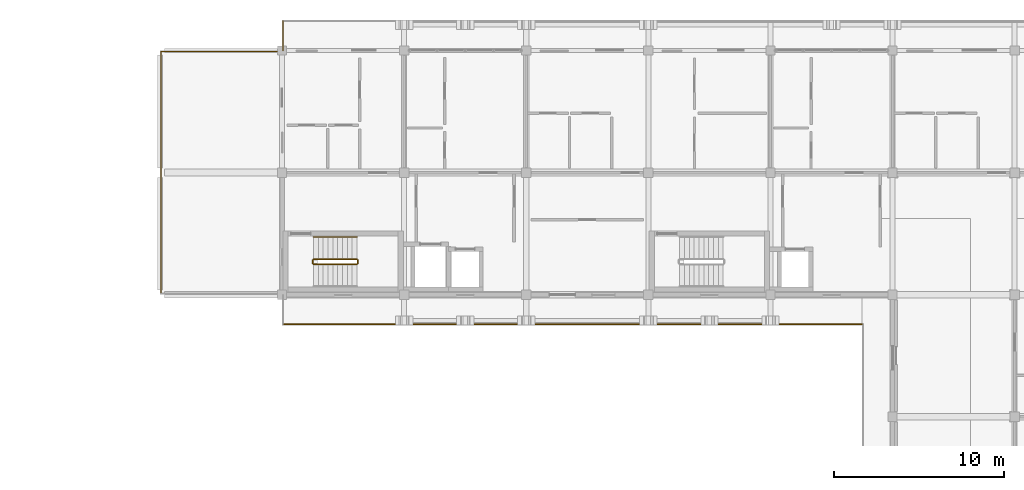
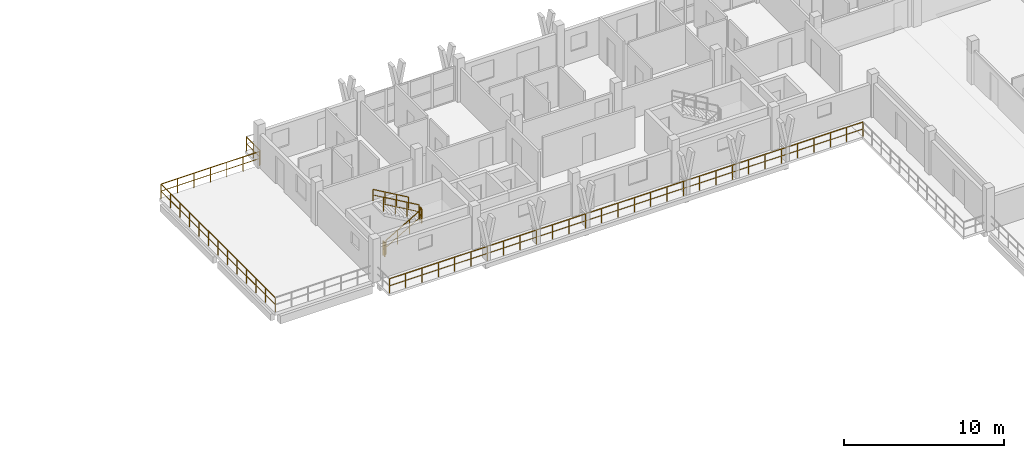
# One storey, part 58 of 60: 9 railings.
"""IFC4 building model written with IfcOpenShell, lengths in metres."""

from ifc_helpers import new_model, si_unit, direction, frame, origin, origin_2d, place, context, subcontext, project, spatial, rectangle, extrude, material, type_object, element, save


model = new_model("IFC4")

# Units and contexts
model_context = context("Model", 3, precision=1e-05, world=origin(), true_north=direction((0.0, 1.0)))
body_context = subcontext(model_context, "Body", "Model", "MODEL_VIEW")
ifc_project = project(units=[si_unit("LENGTHUNIT", "METRE"), si_unit("AREAUNIT", "SQUARE_METRE"), si_unit("VOLUMEUNIT", "CUBIC_METRE"), si_unit("PLANEANGLEUNIT", "RADIAN"), si_unit("MASSUNIT", "GRAM", prefix="KILO")], contexts=[model_context])

# Site, building, storey
site_placement = place(None, origin())
site = spatial("IfcSite", under=ifc_project, at=site_placement, CompositionType="ELEMENT")
building_placement = place(site_placement, origin())
building = spatial("IfcBuilding", under=site, at=building_placement, Name="Suanplinth Sawtooth Commons", CompositionType="ELEMENT")
storey_placement = place(building_placement, frame((0.0, 0.0, 31.5)))
storey = spatial("IfcBuildingStorey", under=building, at=storey_placement, Name="L09", CompositionType="ELEMENT", Elevation=31.5)

# Railings
ifc_material_1 = material(Name="Powder-coated galvanized steel", Category="steel")
railing_type_1 = type_object("IfcRailingType", Name="GR-01", PredefinedType="BALUSTRADE", material=ifc_material_1)
railing_1_placement = place(storey_placement, frame((171.06005859375, 106.260009765625, 0.0)))
element("IfcRailing", 1, at=railing_1_placement, inside=storey, type_object=railing_type_1, Name="L09 Block B Perimeter Balustrade 3", PredefinedType="BALUSTRADE", context=body_context, shape_type="SweptSolid", body=[
    extrude(rectangle(XDim=0.048095703125, YDim=0.048095703125, at=origin_2d()), frame((0.0, 0.0, 1.09619140625), z_axis=(-1.0, 0.0, 0.0), x_axis=(0.0, -1.0, 0.0)), (0.0, 0.0, 1.0), 34.199951171875),
    extrude(rectangle(XDim=0.03369140625, YDim=0.03369140625, at=origin_2d()), frame((0.0, 0.0, 0.56005859375), z_axis=(-1.0, 0.0, 0.0), x_axis=(0.0, -1.0, 0.0)), (0.0, 0.0, 1.0), 34.199951171875),
    extrude(rectangle(XDim=0.0419921875, YDim=0.0419921875, at=origin_2d()), origin(), (0.0, 0.0, 1.0), 1.072021484375),
    extrude(rectangle(XDim=0.0419921875, YDim=0.0419921875, at=origin_2d()), frame((-1.17919921875, 0.0, 0.0)), (0.0, 0.0, 1.0), 1.072021484375),
    extrude(rectangle(XDim=0.0419921875, YDim=0.0419921875, at=origin_2d()), frame((-2.358642578125, 0.0, 0.0)), (0.0, 0.0, 1.0), 1.072021484375),
    extrude(rectangle(XDim=0.0419921875, YDim=0.0419921875, at=origin_2d()), frame((-3.537841796875, 0.0, 0.0)), (0.0, 0.0, 1.0), 1.072021484375),
    extrude(rectangle(XDim=0.0419921875, YDim=0.0419921875, at=origin_2d()), frame((-4.71728515625, 0.0, 0.0)), (0.0, 0.0, 1.0), 1.072021484375),
    extrude(rectangle(XDim=0.0419921875, YDim=0.0419921875, at=origin_2d()), frame((-5.896484375, 0.0, 0.0)), (0.0, 0.0, 1.0), 1.072021484375),
    extrude(rectangle(XDim=0.0419921875, YDim=0.0419921875, at=origin_2d()), frame((-7.075927734375, 0.0, 0.0)), (0.0, 0.0, 1.0), 1.072021484375),
    extrude(rectangle(XDim=0.0419921875, YDim=0.0419921875, at=origin_2d()), frame((-8.255126953125, 0.0, 0.0)), (0.0, 0.0, 1.0), 1.072021484375),
    extrude(rectangle(XDim=0.0419921875, YDim=0.0419921875, at=origin_2d()), frame((-9.4345703125, 0.0, 0.0)), (0.0, 0.0, 1.0), 1.072021484375),
    extrude(rectangle(XDim=0.0419921875, YDim=0.0419921875, at=origin_2d()), frame((-10.61376953125, 0.0, 0.0)), (0.0, 0.0, 1.0), 1.072021484375),
    extrude(rectangle(XDim=0.0419921875, YDim=0.0419921875, at=origin_2d()), frame((-11.79296875, 0.0, 0.0)), (0.0, 0.0, 1.0), 1.072021484375),
    extrude(rectangle(XDim=0.0419921875, YDim=0.0419921875, at=origin_2d()), frame((-12.972412109375, 0.0, 0.0)), (0.0, 0.0, 1.0), 1.072021484375),
    extrude(rectangle(XDim=0.0419921875, YDim=0.0419921875, at=origin_2d()), frame((-14.151611328125, 0.0, 0.0)), (0.0, 0.0, 1.0), 1.072021484375),
    extrude(rectangle(XDim=0.0419921875, YDim=0.0419921875, at=origin_2d()), frame((-15.3310546875, 0.0, 0.0)), (0.0, 0.0, 1.0), 1.072021484375),
    extrude(rectangle(XDim=0.0419921875, YDim=0.0419921875, at=origin_2d()), frame((-16.51025390625, 0.0, 0.0)), (0.0, 0.0, 1.0), 1.072021484375),
    extrude(rectangle(XDim=0.0419921875, YDim=0.0419921875, at=origin_2d()), frame((-17.689697265625, 0.0, 0.0)), (0.0, 0.0, 1.0), 1.072021484375),
    extrude(rectangle(XDim=0.0419921875, YDim=0.0419921875, at=origin_2d()), frame((-18.868896484375, 0.0, 0.0)), (0.0, 0.0, 1.0), 1.072021484375),
    extrude(rectangle(XDim=0.0419921875, YDim=0.0419921875, at=origin_2d()), frame((-20.04833984375, 0.0, 0.0)), (0.0, 0.0, 1.0), 1.072021484375),
    extrude(rectangle(XDim=0.0419921875, YDim=0.0419921875, at=origin_2d()), frame((-21.2275390625, 0.0, 0.0)), (0.0, 0.0, 1.0), 1.072021484375),
    extrude(rectangle(XDim=0.0419921875, YDim=0.0419921875, at=origin_2d()), frame((-22.406982421875, 0.0, 0.0)), (0.0, 0.0, 1.0), 1.072021484375),
    extrude(rectangle(XDim=0.0419921875, YDim=0.0419921875, at=origin_2d()), frame((-23.586181640625, 0.0, 0.0)), (0.0, 0.0, 1.0), 1.072021484375),
    extrude(rectangle(XDim=0.0419921875, YDim=0.0419921875, at=origin_2d()), frame((-24.765380859375, 0.0, 0.0)), (0.0, 0.0, 1.0), 1.072021484375),
    extrude(rectangle(XDim=0.0419921875, YDim=0.0419921875, at=origin_2d()), frame((-25.94482421875, 0.0, 0.0)), (0.0, 0.0, 1.0), 1.072021484375),
    extrude(rectangle(XDim=0.0419921875, YDim=0.0419921875, at=origin_2d()), frame((-27.1240234375, 0.0, 0.0)), (0.0, 0.0, 1.0), 1.072021484375),
    extrude(rectangle(XDim=0.0419921875, YDim=0.0419921875, at=origin_2d()), frame((-28.303466796875, 0.0, 0.0)), (0.0, 0.0, 1.0), 1.072021484375),
    extrude(rectangle(XDim=0.0419921875, YDim=0.0419921875, at=origin_2d()), frame((-29.482666015625, 0.0, 0.0)), (0.0, 0.0, 1.0), 1.072021484375),
    extrude(rectangle(XDim=0.0419921875, YDim=0.0419921875, at=origin_2d()), frame((-30.662109375, 0.0, 0.0)), (0.0, 0.0, 1.0), 1.072021484375),
    extrude(rectangle(XDim=0.0419921875, YDim=0.0419921875, at=origin_2d()), frame((-31.84130859375, 0.0, 0.0)), (0.0, 0.0, 1.0), 1.072021484375),
    extrude(rectangle(XDim=0.0419921875, YDim=0.0419921875, at=origin_2d()), frame((-33.020751953125, 0.0, 0.0)), (0.0, 0.0, 1.0), 1.072021484375),
    extrude(rectangle(XDim=0.0419921875, YDim=0.0419921875, at=origin_2d()), frame((-34.199951171875, 0.0, 0.0)), (0.0, 0.0, 1.0), 1.072021484375),
])
railing_2_placement = place(storey_placement, frame((129.659912109375, 108.06005859375, 0.0)))
element("IfcRailing", 2, at=railing_2_placement, inside=storey, type_object=railing_type_1, Name="L09 Block B Perimeter Balustrade 6", PredefinedType="BALUSTRADE", context=body_context, shape_type="SweptSolid", body=[
    extrude(rectangle(XDim=0.048095703125, YDim=0.048095703125, at=origin_2d()), frame((0.0, 0.0, 1.09619140625), z_axis=(0.0, 1.0, 0.0), x_axis=(-1.0, 0.0, 0.0)), (0.0, 0.0, 1.0), 14.280029296875),
    extrude(rectangle(XDim=0.03369140625, YDim=0.03369140625, at=origin_2d()), frame((0.0, 0.0, 0.56005859375), z_axis=(0.0, 1.0, 0.0), x_axis=(-1.0, 0.0, 0.0)), (0.0, 0.0, 1.0), 14.280029296875),
    extrude(rectangle(XDim=0.0419921875, YDim=0.0419921875, at=origin_2d()), origin(), (0.0, 0.0, 1.0), 1.072021484375),
    extrude(rectangle(XDim=0.0419921875, YDim=0.0419921875, at=origin_2d()), frame((0.0, 1.18994140625, 0.0)), (0.0, 0.0, 1.0), 1.072021484375),
    extrude(rectangle(XDim=0.0419921875, YDim=0.0419921875, at=origin_2d()), frame((0.0, 2.3798828125, 0.0)), (0.0, 0.0, 1.0), 1.072021484375),
    extrude(rectangle(XDim=0.0419921875, YDim=0.0419921875, at=origin_2d()), frame((0.0, 3.570068359375, 0.0)), (0.0, 0.0, 1.0), 1.072021484375),
    extrude(rectangle(XDim=0.0419921875, YDim=0.0419921875, at=origin_2d()), frame((0.0, 4.760009765625, 0.0)), (0.0, 0.0, 1.0), 1.072021484375),
    extrude(rectangle(XDim=0.0419921875, YDim=0.0419921875, at=origin_2d()), frame((0.0, 5.949951171875, 0.0)), (0.0, 0.0, 1.0), 1.072021484375),
    extrude(rectangle(XDim=0.0419921875, YDim=0.0419921875, at=origin_2d()), frame((0.0, 7.14013671875, 0.0)), (0.0, 0.0, 1.0), 1.072021484375),
    extrude(rectangle(XDim=0.0419921875, YDim=0.0419921875, at=origin_2d()), frame((0.0, 8.330078125, 0.0)), (0.0, 0.0, 1.0), 1.072021484375),
    extrude(rectangle(XDim=0.0419921875, YDim=0.0419921875, at=origin_2d()), frame((0.0, 9.52001953125, 0.0)), (0.0, 0.0, 1.0), 1.072021484375),
    extrude(rectangle(XDim=0.0419921875, YDim=0.0419921875, at=origin_2d()), frame((0.0, 10.7099609375, 0.0)), (0.0, 0.0, 1.0), 1.072021484375),
    extrude(rectangle(XDim=0.0419921875, YDim=0.0419921875, at=origin_2d()), frame((0.0, 11.89990234375, 0.0)), (0.0, 0.0, 1.0), 1.072021484375),
    extrude(rectangle(XDim=0.0419921875, YDim=0.0419921875, at=origin_2d()), frame((0.0, 13.090087890625, 0.0)), (0.0, 0.0, 1.0), 1.072021484375),
    extrude(rectangle(XDim=0.0419921875, YDim=0.0419921875, at=origin_2d()), frame((0.0, 14.280029296875, 0.0)), (0.0, 0.0, 1.0), 1.072021484375),
])
railing_3_placement = place(storey_placement, frame((129.659912109375, 122.340087890625, 0.0)))
element("IfcRailing", 3, at=railing_3_placement, inside=storey, type_object=railing_type_1, Name="L09 Block B Perimeter Balustrade 7", PredefinedType="BALUSTRADE", context=body_context, shape_type="SweptSolid", body=[
    extrude(rectangle(XDim=0.048095703125, YDim=0.048095703125, at=origin_2d()), frame((0.0, 0.0, 1.09619140625), z_axis=(1.0, 0.0, 0.0), x_axis=(0.0, 1.0, 0.0)), (0.0, 0.0, 1.0), 7.1201171875),
    extrude(rectangle(XDim=0.03369140625, YDim=0.03369140625, at=origin_2d()), frame((0.0, 0.0, 0.56005859375), z_axis=(1.0, 0.0, 0.0), x_axis=(0.0, 1.0, 0.0)), (0.0, 0.0, 1.0), 7.1201171875),
    extrude(rectangle(XDim=0.0419921875, YDim=0.0419921875, at=origin_2d()), origin(), (0.0, 0.0, 1.0), 1.072021484375),
    extrude(rectangle(XDim=0.0419921875, YDim=0.0419921875, at=origin_2d()), frame((1.186767578125, 0.0, 0.0)), (0.0, 0.0, 1.0), 1.072021484375),
    extrude(rectangle(XDim=0.0419921875, YDim=0.0419921875, at=origin_2d()), frame((2.373291015625, 0.0, 0.0)), (0.0, 0.0, 1.0), 1.072021484375),
    extrude(rectangle(XDim=0.0419921875, YDim=0.0419921875, at=origin_2d()), frame((3.56005859375, 0.0, 0.0)), (0.0, 0.0, 1.0), 1.072021484375),
    extrude(rectangle(XDim=0.0419921875, YDim=0.0419921875, at=origin_2d()), frame((4.746826171875, 0.0, 0.0)), (0.0, 0.0, 1.0), 1.072021484375),
    extrude(rectangle(XDim=0.0419921875, YDim=0.0419921875, at=origin_2d()), frame((5.933349609375, 0.0, 0.0)), (0.0, 0.0, 1.0), 1.072021484375),
    extrude(rectangle(XDim=0.0419921875, YDim=0.0419921875, at=origin_2d()), frame((7.1201171875, 0.0, 0.0)), (0.0, 0.0, 1.0), 1.072021484375),
])
railing_4_placement = place(storey_placement, frame((136.860107421875, 122.419921875, 0.0)))
element("IfcRailing", 4, at=railing_4_placement, inside=storey, type_object=railing_type_1, Name="L09 Block B Perimeter Balustrade 8", PredefinedType="BALUSTRADE", context=body_context, shape_type="SweptSolid", body=[
    extrude(rectangle(XDim=0.048095703125, YDim=0.048095703125, at=origin_2d()), frame((0.0, 0.0, 1.09619140625), z_axis=(0.0, 1.0, 0.0), x_axis=(-1.0, 0.0, 0.0)), (0.0, 0.0, 1.0), 1.719970703125),
    extrude(rectangle(XDim=0.03369140625, YDim=0.03369140625, at=origin_2d()), frame((0.0, 0.0, 0.56005859375), z_axis=(0.0, 1.0, 0.0), x_axis=(-1.0, 0.0, 0.0)), (0.0, 0.0, 1.0), 1.719970703125),
    extrude(rectangle(XDim=0.0419921875, YDim=0.0419921875, at=origin_2d()), origin(), (0.0, 0.0, 1.0), 1.072021484375),
    extrude(rectangle(XDim=0.0419921875, YDim=0.0419921875, at=origin_2d()), frame((0.0, 0.85986328125, 0.0)), (0.0, 0.0, 1.0), 1.072021484375),
    extrude(rectangle(XDim=0.0419921875, YDim=0.0419921875, at=origin_2d()), frame((0.0, 1.719970703125, 0.0)), (0.0, 0.0, 1.0), 1.072021484375),
])
ifc_material_2 = material(Name="Stainless steel Grade 304", Category="steel")
railing_type_2 = type_object("IfcRailingType", Name="GR-04", PredefinedType="GUARDRAIL", material=ifc_material_2)
railing_5_placement = place(storey_placement, frame((138.64990234375, 109.800048828125, 0.1650390625)))
element("IfcRailing", 5, at=railing_5_placement, inside=storey, type_object=railing_type_2, Name="L09 ST-E1 Guard 1", PredefinedType="GUARDRAIL", context=body_context, shape_type="SweptSolid", body=[
    extrude(rectangle(XDim=0.048095703125, YDim=0.048095703125, at=origin_2d()), frame((0.0, 0.0, 1.076171875), z_axis=(0.865461999751, 0.0, 0.500974577186), x_axis=(0.0, 1.0, 0.0)), (0.0, 0.0, 1.0), 2.9638671875),
    extrude(rectangle(XDim=0.03369140625, YDim=0.03369140625, at=origin_2d()), frame((0.0, 0.0, 0.550048828125), z_axis=(0.865461999751, 0.0, 0.500974577186), x_axis=(0.0, 1.0, 0.0)), (0.0, 0.0, 1.0), 2.9638671875),
    extrude(rectangle(XDim=0.0419921875, YDim=0.0419921875, at=origin_2d()), origin(), (0.0, 0.0, 1.0), 1.052001953125),
    extrude(rectangle(XDim=0.0419921875, YDim=0.0419921875, at=origin_2d()), frame((0.85498046875, 0.0, 0.494873046875)), (0.0, 0.0, 1.0), 1.052001953125),
    extrude(rectangle(XDim=0.0419921875, YDim=0.0419921875, at=origin_2d()), frame((1.710205078125, 0.0, 0.989990234375)), (0.0, 0.0, 1.0), 1.052001953125),
    extrude(rectangle(XDim=0.0419921875, YDim=0.0419921875, at=origin_2d()), frame((2.565185546875, 0.0, 1.48486328125)), (0.0, 0.0, 1.0), 1.052001953125),
])
railing_6_placement = place(storey_placement, frame((141.264892578125, 109.85009765625, 1.64990234375)))
element("IfcRailing", 6, at=railing_6_placement, inside=storey, type_object=railing_type_2, Name="L09 ST-E1 Guard 2", PredefinedType="GUARDRAIL", context=body_context, shape_type="SweptSolid", body=[
    extrude(rectangle(XDim=0.048095703125, YDim=0.048095703125, at=origin_2d()), frame((0.0, 0.0, 1.076171875), z_axis=(0.0, 1.0, 0.0), x_axis=(-1.0, 0.0, 0.0)), (0.0, 0.0, 1.0), 0.199951171875),
    extrude(rectangle(XDim=0.03369140625, YDim=0.03369140625, at=origin_2d()), frame((0.0, 0.0, 0.550048828125), z_axis=(0.0, 1.0, 0.0), x_axis=(-1.0, 0.0, 0.0)), (0.0, 0.0, 1.0), 0.199951171875),
    extrude(rectangle(XDim=0.0419921875, YDim=0.0419921875, at=origin_2d()), origin(), (0.0, 0.0, 1.0), 1.052001953125),
    extrude(rectangle(XDim=0.0419921875, YDim=0.0419921875, at=origin_2d()), frame((0.0, 0.199951171875, 0.0)), (0.0, 0.0, 1.0), 1.052001953125),
])
railing_7_placement = place(storey_placement, frame((141.215087890625, 110.10009765625, 1.81494140625)))
element("IfcRailing", 7, at=railing_7_placement, inside=storey, type_object=railing_type_2, Name="L09 ST-E1 Guard 3", PredefinedType="GUARDRAIL", context=body_context, shape_type="SweptSolid", body=[
    extrude(rectangle(XDim=0.048095703125, YDim=0.048095703125, at=origin_2d()), frame((0.0, 0.0, 1.076171875), z_axis=(-0.865426285481, 0.0, 0.501036270542), x_axis=(0.0, -1.0, 0.0)), (0.0, 0.0, 1.0), 2.964111328125),
    extrude(rectangle(XDim=0.03369140625, YDim=0.03369140625, at=origin_2d()), frame((0.0, 0.0, 0.550048828125), z_axis=(-0.865426285481, 0.0, 0.501036270542), x_axis=(0.0, -1.0, 0.0)), (0.0, 0.0, 1.0), 2.964111328125),
    extrude(rectangle(XDim=0.0419921875, YDim=0.0419921875, at=origin_2d()), origin(), (0.0, 0.0, 1.0), 1.052001953125),
    extrude(rectangle(XDim=0.0419921875, YDim=0.0419921875, at=origin_2d()), frame((-0.85498046875, 0.0, 0.4951171875)), (0.0, 0.0, 1.0), 1.052001953125),
    extrude(rectangle(XDim=0.0419921875, YDim=0.0419921875, at=origin_2d()), frame((-1.710205078125, 0.0, 0.989990234375)), (0.0, 0.0, 1.0), 1.052001953125),
    extrude(rectangle(XDim=0.0419921875, YDim=0.0419921875, at=origin_2d()), frame((-2.565185546875, 0.0, 1.485107421875)), (0.0, 0.0, 1.0), 1.052001953125),
])
railing_8_placement = place(storey_placement, frame((138.60009765625, 109.85009765625, 0.0)))
element("IfcRailing", 8, at=railing_8_placement, inside=storey, type_object=railing_type_2, Name="L09 ST-E1 Guard 4", PredefinedType="GUARDRAIL", context=body_context, shape_type="SweptSolid", body=[
    extrude(rectangle(XDim=0.048095703125, YDim=0.048095703125, at=origin_2d()), frame((0.0, 0.0, 1.076171875), z_axis=(0.0, 1.0, 0.0), x_axis=(-1.0, 0.0, 0.0)), (0.0, 0.0, 1.0), 0.199951171875),
    extrude(rectangle(XDim=0.03369140625, YDim=0.03369140625, at=origin_2d()), frame((0.0, 0.0, 0.550048828125), z_axis=(0.0, 1.0, 0.0), x_axis=(-1.0, 0.0, 0.0)), (0.0, 0.0, 1.0), 0.199951171875),
    extrude(rectangle(XDim=0.0419921875, YDim=0.0419921875, at=origin_2d()), origin(), (0.0, 0.0, 1.0), 1.052001953125),
    extrude(rectangle(XDim=0.0419921875, YDim=0.0419921875, at=origin_2d()), frame((0.0, 0.199951171875, 0.0)), (0.0, 0.0, 1.0), 1.052001953125),
])
railing_type_3 = type_object("IfcRailingType", Name="HR-01", PredefinedType="HANDRAIL", material=ifc_material_2)
railing_9_placement = place(storey_placement, frame((141.215087890625, 111.39990234375, 1.81494140625)))
element("IfcRailing", 9, at=railing_9_placement, inside=storey, type_object=railing_type_3, Name="L09 ST-E1 Handrail 2", PredefinedType="HANDRAIL", context=body_context, shape_type="SweptSolid", body=[
    extrude(rectangle(XDim=0.048095703125, YDim=0.048095703125, at=origin_2d()), frame((0.0, 0.0, 0.8759765625), z_axis=(-0.865426285481, 0.0, 0.501036270542), x_axis=(0.0, -1.0, 0.0)), (0.0, 0.0, 1.0), 2.964111328125),
    extrude(rectangle(XDim=0.03369140625, YDim=0.03369140625, at=origin_2d()), frame((0.0, 0.0, 0.449951171875), z_axis=(-0.865426285481, 0.0, 0.501036270542), x_axis=(0.0, -1.0, 0.0)), (0.0, 0.0, 1.0), 2.964111328125),
    extrude(rectangle(XDim=0.0419921875, YDim=0.0419921875, at=origin_2d()), origin(), (0.0, 0.0, 1.0), 0.851806640625),
    extrude(rectangle(XDim=0.0419921875, YDim=0.0419921875, at=origin_2d()), frame((-0.85498046875, 0.0, 0.4951171875)), (0.0, 0.0, 1.0), 0.851806640625),
    extrude(rectangle(XDim=0.0419921875, YDim=0.0419921875, at=origin_2d()), frame((-1.710205078125, 0.0, 0.989990234375)), (0.0, 0.0, 1.0), 0.851806640625),
    extrude(rectangle(XDim=0.0419921875, YDim=0.0419921875, at=origin_2d()), frame((-2.565185546875, 0.0, 1.485107421875)), (0.0, 0.0, 1.0), 0.851806640625),
])

save(model, "model.ifc")
